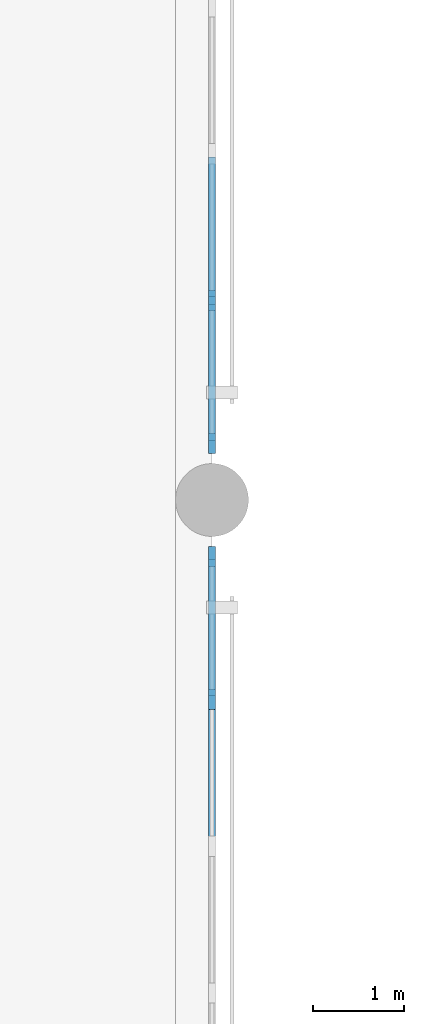
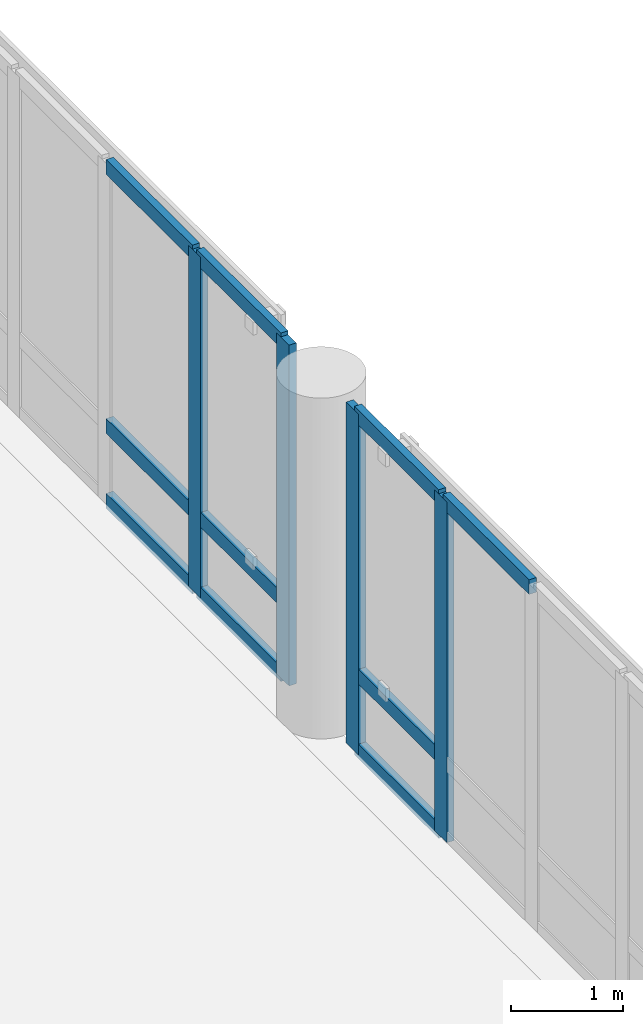
# One storey, part 8 of 49: 14 members, 2 elements without a shape of their own.
"""IFC4 building model written with IfcOpenShell, lengths in metres."""

from ifc_helpers import new_model, si_unit, direction, frame, origin, origin_2d, place, context, subcontext, project, spatial, rectangle, extrude, material, material_profile, profile_set, type_object, element, aggregate, save


model = new_model("IFC4")

# Units and contexts
model_context = context("Model", 3, precision=1e-05, world=origin(), true_north=direction((0.0, 1.0)))
body_context = subcontext(model_context, "Body", "Model", "MODEL_VIEW")
ifc_project = project(units=[si_unit("LENGTHUNIT", "METRE"), si_unit("AREAUNIT", "SQUARE_METRE"), si_unit("VOLUMEUNIT", "CUBIC_METRE"), si_unit("PLANEANGLEUNIT", "RADIAN"), si_unit("MASSUNIT", "GRAM", prefix="KILO")], contexts=[model_context])

# Site, building, storey
site_placement = place(None, origin())
site = spatial("IfcSite", under=ifc_project, at=site_placement, CompositionType="ELEMENT")
building_placement = place(site_placement, origin())
building = spatial("IfcBuilding", under=site, at=building_placement, Name="Qandaris Square Conservatory and Botanical Centre", CompositionType="ELEMENT")
storey_placement = place(building_placement, frame((0.0, 0.0, 10.199951171875)))
storey = spatial("IfcBuildingStorey", under=building, at=storey_placement, Name="L02", CompositionType="ELEMENT", Elevation=10.199951171875)

# Curtain wall, members
ifc_material = material(Name="Anodised Aluminium", Category="aluminium")
curtain_wall_type = type_object("IfcCurtainWallType", Name="Unitised Curtain Wall CW-2-644x370", PredefinedType="USERDEFINED", material=ifc_material)
curtain_wall_1_placement = place(storey_placement, origin())
curtain_wall_1 = element("IfcCurtainWall", 1, at=curtain_wall_1_placement, inside=storey, type_object=curtain_wall_type, Name="Curtain Wall CW-CON-L02-3-3", ObjectType="GLAZED CURTAIN WALL", PredefinedType="USERDEFINED")
ifc_material_profile_1 = material_profile(ifc_material, rectangle(XDim=0.074951171875, YDim=0.219970703125, at=origin_2d()), Name="ALU-MUL 75x220")
ifc_profile_set_1 = profile_set([ifc_material_profile_1], Name="Anodised Aluminium")
member_type_1 = type_object("IfcMemberType", Name="Conservatory Heavy Mullion 75x220", PredefinedType="MULLION", material=ifc_profile_set_1)
member_1_placement = place(storey_placement, frame((57.199951171875, 75.2099609375, 0.0), z_axis=(0.0, 0.0, 1.0), x_axis=(-1.0, 0.0, 0.0)))
member_1 = element("IfcMember", 2, at=member_1_placement, type_object=member_type_1, Name="CW-2-644x370 mullion 4", PredefinedType="MULLION", context=body_context, shape_type="SweptSolid", body=[
    extrude(rectangle(XDim=0.074951171875, YDim=0.219970703125, at=origin_2d()), origin(), (0.0, 0.0, 1.0), 3.699951171875),
])
member_2_placement = place(storey_placement, frame((57.199951171875, 76.782470703125, 0.0), z_axis=(0.0, 0.0, 1.0), x_axis=(-1.0, 0.0, 0.0)))
member_2 = element("IfcMember", 3, at=member_2_placement, type_object=member_type_1, Name="CW-2-644x370 mullion 5", PredefinedType="MULLION", context=body_context, shape_type="SweptSolid", body=[
    extrude(rectangle(XDim=0.074951171875, YDim=0.219970703125, at=origin_2d()), origin(), (0.0, 0.0, 1.0), 3.699951171875),
])

curtain_wall_2_placement = place(storey_placement, origin())
curtain_wall_2 = element("IfcCurtainWall", 4, at=curtain_wall_2_placement, inside=storey, type_object=curtain_wall_type, Name="Curtain Wall CW-CON-L02-3-4", ObjectType="GLAZED CURTAIN WALL", PredefinedType="USERDEFINED")
member_3_placement = place(storey_placement, frame((57.199951171875, 78.017578125, 0.0), z_axis=(0.0, 0.0, 1.0), x_axis=(-1.0, 0.0, 0.0)))
member_3 = element("IfcMember", 5, at=member_3_placement, type_object=member_type_1, Name="CW-2-644x370 mullion 1", PredefinedType="MULLION", context=body_context, shape_type="SweptSolid", body=[
    extrude(rectangle(XDim=0.074951171875, YDim=0.219970703125, at=origin_2d()), origin(), (0.0, 0.0, 1.0), 3.699951171875),
])
member_4_placement = place(storey_placement, frame((57.199951171875, 79.590087890625, 0.0), z_axis=(0.0, 0.0, 1.0), x_axis=(-1.0, 0.0, 0.0)))
member_4 = element("IfcMember", 6, at=member_4_placement, type_object=member_type_1, Name="CW-2-644x370 mullion 2", PredefinedType="MULLION", context=body_context, shape_type="SweptSolid", body=[
    extrude(rectangle(XDim=0.074951171875, YDim=0.219970703125, at=origin_2d()), origin(), (0.0, 0.0, 1.0), 3.699951171875),
])

# Member
ifc_material_profile_2 = material_profile(ifc_material, rectangle(XDim=0.074951171875, YDim=0.159912109375, at=origin_2d()), Name="ALU-TRN 75x160")
ifc_profile_set_2 = profile_set([ifc_material_profile_2], Name="Anodised Aluminium")
member_type_2 = type_object("IfcMemberType", Name="Conservatory Heavy Transom 75x160", PredefinedType="USERDEFINED", material=ifc_profile_set_2)
member_5_placement = place(storey_placement, frame((57.199951171875, 73.637451171875, 3.66259765625), z_axis=(0.0, 1.0, 0.0), x_axis=(-1.0, 0.0, 0.0)))
member_5 = element("IfcMember", 7, at=member_5_placement, type_object=member_type_2, Name="CW-2-644x370 transom 3.3", ObjectType="TRANSOM", PredefinedType="USERDEFINED", context=body_context, shape_type="SweptSolid", body=[
    extrude(rectangle(XDim=0.074951171875, YDim=0.159912109375, at=origin_2d()), origin(), (0.0, 0.0, 1.0), 1.53515625),
])

member_6_placement = place(storey_placement, frame((57.199951171875, 75.24755859375, 0.03759765625), z_axis=(0.0, 1.0, 0.0), x_axis=(-1.0, 0.0, 0.0)))
member_6 = element("IfcMember", 8, at=member_6_placement, type_object=member_type_2, Name="CW-2-644x370 transom 4.1", ObjectType="TRANSOM", PredefinedType="USERDEFINED", context=body_context, shape_type="SweptSolid", body=[
    extrude(rectangle(XDim=0.074951171875, YDim=0.159912109375, at=origin_2d()), origin(), (0.0, 0.0, 1.0), 1.49755859375),
])

member_7_placement = place(storey_placement, frame((57.199951171875, 75.24755859375, 0.85009765625), z_axis=(0.0, 1.0, 0.0), x_axis=(-1.0, 0.0, 0.0)))
member_7 = element("IfcMember", 9, at=member_7_placement, type_object=member_type_2, Name="CW-2-644x370 transom 4.2", ObjectType="TRANSOM", PredefinedType="USERDEFINED", context=body_context, shape_type="SweptSolid", body=[
    extrude(rectangle(XDim=0.074951171875, YDim=0.159912109375, at=origin_2d()), origin(), (0.0, 0.0, 1.0), 1.49755859375),
])

member_8_placement = place(storey_placement, frame((57.199951171875, 75.24755859375, 3.66259765625), z_axis=(0.0, 1.0, 0.0), x_axis=(-1.0, 0.0, 0.0)))
member_8 = element("IfcMember", 10, at=member_8_placement, type_object=member_type_2, Name="CW-2-644x370 transom 4.3", ObjectType="TRANSOM", PredefinedType="USERDEFINED", context=body_context, shape_type="SweptSolid", body=[
    extrude(rectangle(XDim=0.074951171875, YDim=0.159912109375, at=origin_2d()), origin(), (0.0, 0.0, 1.0), 1.49755859375),
])

aggregate(curtain_wall_1, [member_1, member_2, member_5, member_6, member_7, member_8])

member_9_placement = place(storey_placement, frame((57.199951171875, 78.054931640625, 0.03759765625), z_axis=(0.0, 1.0, 0.0), x_axis=(-1.0, 0.0, 0.0)))
member_9 = element("IfcMember", 11, at=member_9_placement, type_object=member_type_2, Name="CW-2-644x370 transom 1.1", ObjectType="TRANSOM", PredefinedType="USERDEFINED", context=body_context, shape_type="SweptSolid", body=[
    extrude(rectangle(XDim=0.074951171875, YDim=0.159912109375, at=origin_2d()), origin(), (0.0, 0.0, 1.0), 1.49755859375),
])

member_10_placement = place(storey_placement, frame((57.199951171875, 78.054931640625, 0.85009765625), z_axis=(0.0, 1.0, 0.0), x_axis=(-1.0, 0.0, 0.0)))
member_10 = element("IfcMember", 12, at=member_10_placement, type_object=member_type_2, Name="CW-2-644x370 transom 1.2", ObjectType="TRANSOM", PredefinedType="USERDEFINED", context=body_context, shape_type="SweptSolid", body=[
    extrude(rectangle(XDim=0.074951171875, YDim=0.159912109375, at=origin_2d()), origin(), (0.0, 0.0, 1.0), 1.49755859375),
])

member_11_placement = place(storey_placement, frame((57.199951171875, 78.054931640625, 3.66259765625), z_axis=(0.0, 1.0, 0.0), x_axis=(-1.0, 0.0, 0.0)))
member_11 = element("IfcMember", 13, at=member_11_placement, type_object=member_type_2, Name="CW-2-644x370 transom 1.3", ObjectType="TRANSOM", PredefinedType="USERDEFINED", context=body_context, shape_type="SweptSolid", body=[
    extrude(rectangle(XDim=0.074951171875, YDim=0.159912109375, at=origin_2d()), origin(), (0.0, 0.0, 1.0), 1.49755859375),
])

member_12_placement = place(storey_placement, frame((57.199951171875, 79.62744140625, 0.03759765625), z_axis=(0.0, 1.0, 0.0), x_axis=(-1.0, 0.0, 0.0)))
member_12 = element("IfcMember", 14, at=member_12_placement, type_object=member_type_2, Name="CW-2-644x370 transom 2.1", ObjectType="TRANSOM", PredefinedType="USERDEFINED", context=body_context, shape_type="SweptSolid", body=[
    extrude(rectangle(XDim=0.074951171875, YDim=0.159912109375, at=origin_2d()), origin(), (0.0, 0.0, 1.0), 1.53515625),
])

member_13_placement = place(storey_placement, frame((57.199951171875, 79.62744140625, 0.85009765625), z_axis=(0.0, 1.0, 0.0), x_axis=(-1.0, 0.0, 0.0)))
member_13 = element("IfcMember", 15, at=member_13_placement, type_object=member_type_2, Name="CW-2-644x370 transom 2.2", ObjectType="TRANSOM", PredefinedType="USERDEFINED", context=body_context, shape_type="SweptSolid", body=[
    extrude(rectangle(XDim=0.074951171875, YDim=0.159912109375, at=origin_2d()), origin(), (0.0, 0.0, 1.0), 1.53515625),
])

member_14_placement = place(storey_placement, frame((57.199951171875, 79.62744140625, 3.66259765625), z_axis=(0.0, 1.0, 0.0), x_axis=(-1.0, 0.0, 0.0)))
member_14 = element("IfcMember", 16, at=member_14_placement, type_object=member_type_2, Name="CW-2-644x370 transom 2.3", ObjectType="TRANSOM", PredefinedType="USERDEFINED", context=body_context, shape_type="SweptSolid", body=[
    extrude(rectangle(XDim=0.074951171875, YDim=0.159912109375, at=origin_2d()), origin(), (0.0, 0.0, 1.0), 1.53515625),
])

aggregate(curtain_wall_2, [member_3, member_4, member_9, member_10, member_11, member_12, member_13, member_14])

save(model, "model.ifc")
